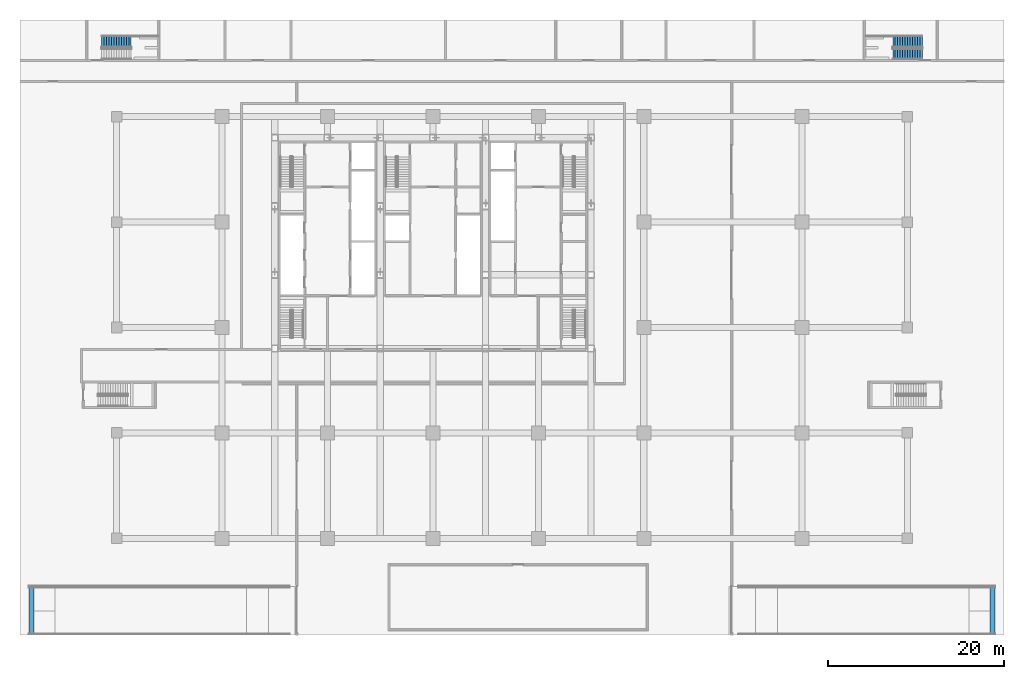
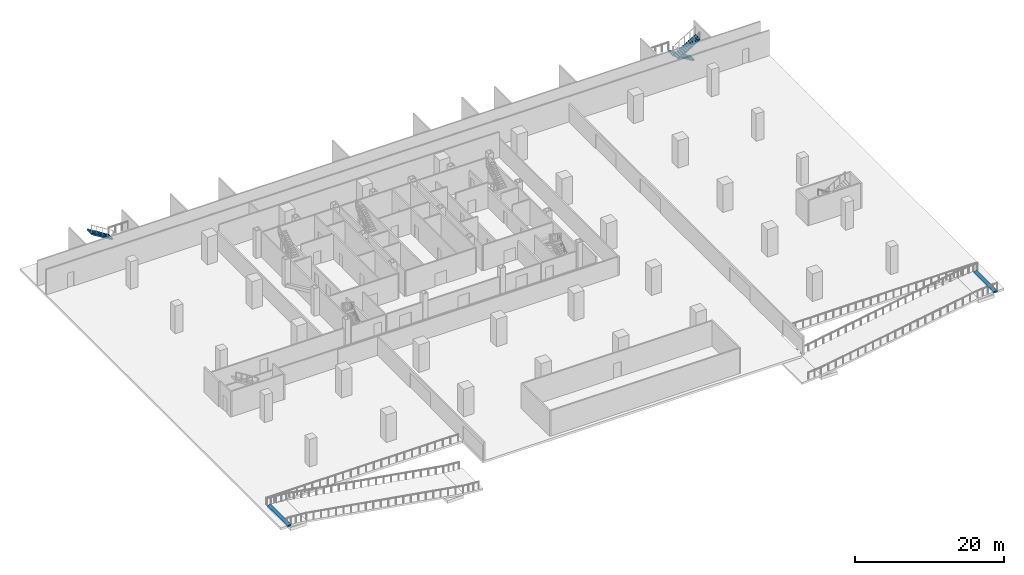
# One storey, part 11 of 15: 3 stair flights, 2 ramp flights, 4 elements without a shape of their own.
"""IFC4 building model written with IfcOpenShell, lengths in metres."""

from ifc_helpers import new_model, si_unit, direction, frame, origin, place, context, subcontext, project, spatial, polyline, outline, extrude, material, layer, layer_set, type_object, element, aggregate, save


model = new_model("IFC4")

# Units and contexts
model_context = context("Model", 3, precision=1e-05, world=origin(), true_north=direction((0.0, 1.0)))
body_context = subcontext(model_context, "Body", "Model", "MODEL_VIEW")
ifc_project = project(units=[si_unit("LENGTHUNIT", "METRE"), si_unit("AREAUNIT", "SQUARE_METRE"), si_unit("VOLUMEUNIT", "CUBIC_METRE"), si_unit("PLANEANGLEUNIT", "RADIAN"), si_unit("MASSUNIT", "GRAM", prefix="KILO")], contexts=[model_context])

# Site, building, storey
site_placement = place(None, origin())
site = spatial("IfcSite", under=ifc_project, at=site_placement, CompositionType="ELEMENT")
building_placement = place(site_placement, origin())
building = spatial("IfcBuilding", under=site, at=building_placement, Name="Sorahane Residences", CompositionType="ELEMENT")
storey_placement = place(building_placement, frame((0.0, 0.0, -4.5)))
storey = spatial("IfcBuildingStorey", under=building, at=storey_placement, Name="B1", CompositionType="ELEMENT", Elevation=-4.5)

# Stair, stair flight
ifc_material_1 = material(Name="Concrete C40", Category="concrete")
stair_type = type_object("IfcStairType", Name="Dog-leg stair 1250 Concrete C40", PredefinedType="HALF_TURN_STAIR", material=ifc_material_1)
stair_1_placement = place(storey_placement, origin())
stair_1 = element("IfcStair", 1, at=stair_1_placement, inside=storey, type_object=stair_type, Name="B1 Basement stair BS1", PredefinedType="HALF_TURN_STAIR")
ifc_material_2 = material(Name="Concrete C40", Category="concrete")
stair_flight_type = type_object("IfcStairFlightType", Name="Stair flight 1250 Concrete C40", PredefinedType="STRAIGHT", material=ifc_material_2)
stair_flight_1_placement = place(storey_placement, frame((-10.340087890625, 56.52490234375, 2.25), z_axis=(0.0, 0.0, 1.0), x_axis=(-1.0, 0.0, 0.0)))
stair_flight_1 = element("IfcStairFlight", 2, at=stair_flight_1_placement, type_object=stair_flight_type, Name="BS1 flight 2", NumberOfRisers=13, NumberOfTreads=12, PredefinedType="STRAIGHT", RiserHeight=0.173076923, TreadLength=0.28, context=body_context, shape_type="SweptSolid", body=[
    extrude(outline(polyline([(0.0, 0.0), (0.0, 0.173095703125), (0.280029296875, 0.173095703125), (0.280029296875, 0.34619140625), (0.56005859375, 0.34619140625), (0.56005859375, 0.519287109375), (0.840087890625, 0.519287109375), (0.840087890625, 0.6923828125), (1.1201171875, 0.6923828125), (1.1201171875, 0.865478515625), (1.39990234375, 0.865478515625), (1.39990234375, 1.03857421875), (1.679931640625, 1.03857421875), (1.679931640625, 1.21142578125), (1.9599609375, 1.21142578125), (1.9599609375, 1.384521484375), (2.239990234375, 1.384521484375), (2.239990234375, 1.5576171875), (2.52001953125, 1.5576171875), (2.52001953125, 1.730712890625), (2.800048828125, 1.730712890625), (2.800048828125, 1.90380859375), (3.080078125, 1.90380859375), (3.080078125, 2.076904296875), (3.360107421875, 2.076904296875), (3.360107421875, 2.25), (3.361572265625, 2.25), (3.361572265625, 1.900634765625), (3.141845703125, 1.764892578125), (2.922119140625, 1.629150390625), (2.702392578125, 1.493408203125), (2.482421875, 1.357666015625), (2.2626953125, 1.221923828125), (2.04296875, 1.086181640625), (1.8232421875, 0.950439453125), (1.603515625, 0.814697265625), (1.3837890625, 0.6787109375), (1.1640625, 0.54296875), (0.9443359375, 0.4072265625), (0.724609375, 0.271484375), (0.5048828125, 0.1357421875), (0.28515625, 0.0), (0.0, 0.0)])), frame((0.0, 0.625, 0.0), z_axis=(0.0, -1.0, 0.0), x_axis=(1.0, 0.0, 0.0)), (0.0, 0.0, 1.0), 1.25),
])
aggregate(stair_1, [stair_flight_1])

# Stair, stair flights
stair_2_placement = place(storey_placement, origin())
stair_2 = element("IfcStair", 3, at=stair_2_placement, inside=storey, type_object=stair_type, Name="B1 Basement stair BS2", PredefinedType="HALF_TURN_STAIR")
stair_flight_2_placement = place(storey_placement, frame((79.699951171875, 56.52490234375, 0.0), z_axis=(0.0, 0.0, 1.0), x_axis=(-1.0, 0.0, 0.0)))
stair_flight_2 = element("IfcStairFlight", 4, at=stair_flight_2_placement, type_object=stair_flight_type, Name="BS2 flight 1", NumberOfRisers=13, NumberOfTreads=12, PredefinedType="STRAIGHT", RiserHeight=0.173076923, TreadLength=0.28, context=body_context, shape_type="SweptSolid", body=[
    extrude(outline(polyline([(-0.00146484375, 0.0), (-0.00146484375, 0.173095703125), (0.0, 0.173095703125), (0.280029296875, 0.173095703125), (0.280029296875, 0.34619140625), (0.56005859375, 0.34619140625), (0.56005859375, 0.519287109375), (0.840087890625, 0.519287109375), (0.840087890625, 0.6923828125), (1.1201171875, 0.6923828125), (1.1201171875, 0.865478515625), (1.39990234375, 0.865478515625), (1.39990234375, 1.03857421875), (1.679931640625, 1.03857421875), (1.679931640625, 1.21142578125), (1.9599609375, 1.21142578125), (1.9599609375, 1.384521484375), (2.239990234375, 1.384521484375), (2.239990234375, 1.5576171875), (2.52001953125, 1.5576171875), (2.52001953125, 1.730712890625), (2.800048828125, 1.730712890625), (2.800048828125, 1.90380859375), (3.080078125, 1.90380859375), (3.080078125, 2.076904296875), (3.360107421875, 2.076904296875), (3.360107421875, 2.25), (3.360107421875, 1.900634765625), (3.140380859375, 1.764892578125), (2.920654296875, 1.629150390625), (2.701171875, 1.493408203125), (2.4814453125, 1.357666015625), (2.26171875, 1.221923828125), (2.042236328125, 1.086181640625), (1.822509765625, 0.950439453125), (1.60302734375, 0.814697265625), (1.38330078125, 0.6787109375), (1.16357421875, 0.54296875), (0.944091796875, 0.4072265625), (0.724365234375, 0.271484375), (0.504638671875, 0.1357421875), (0.28515625, 0.0), (-0.00146484375, 0.0)])), frame((0.0, 0.625, 0.0), z_axis=(0.0, -1.0, 0.0), x_axis=(1.0, 0.0, 0.0)), (0.0, 0.0, 1.0), 1.25),
])
stair_flight_3_placement = place(storey_placement, frame((76.340087890625, 55.125, 2.25), z_axis=(0.0, 0.0, 1.0), x_axis=(1.0, 0.0, 0.0)))
stair_flight_3 = element("IfcStairFlight", 5, at=stair_flight_3_placement, type_object=stair_flight_type, Name="BS2 flight 2", NumberOfRisers=13, NumberOfTreads=12, PredefinedType="STRAIGHT", RiserHeight=0.173076923, TreadLength=0.28, context=body_context, shape_type="SweptSolid", body=[
    extrude(outline(polyline([(0.0, 0.0), (0.0, 0.173095703125), (0.280029296875, 0.173095703125), (0.280029296875, 0.34619140625), (0.56005859375, 0.34619140625), (0.56005859375, 0.519287109375), (0.840087890625, 0.519287109375), (0.840087890625, 0.6923828125), (1.1201171875, 0.6923828125), (1.1201171875, 0.865478515625), (1.39990234375, 0.865478515625), (1.39990234375, 1.03857421875), (1.679931640625, 1.03857421875), (1.679931640625, 1.21142578125), (1.9599609375, 1.21142578125), (1.9599609375, 1.384521484375), (2.239990234375, 1.384521484375), (2.239990234375, 1.5576171875), (2.52001953125, 1.5576171875), (2.52001953125, 1.730712890625), (2.800048828125, 1.730712890625), (2.800048828125, 1.90380859375), (3.080078125, 1.90380859375), (3.080078125, 2.076904296875), (3.360107421875, 2.076904296875), (3.360107421875, 2.25), (3.361572265625, 2.25), (3.361572265625, 1.900634765625), (3.141845703125, 1.764892578125), (2.922119140625, 1.629150390625), (2.702392578125, 1.493408203125), (2.482421875, 1.357666015625), (2.2626953125, 1.221923828125), (2.04296875, 1.086181640625), (1.8232421875, 0.950439453125), (1.603515625, 0.814697265625), (1.3837890625, 0.6787109375), (1.1640625, 0.54296875), (0.9443359375, 0.4072265625), (0.724609375, 0.271484375), (0.5048828125, 0.1357421875), (0.28515625, 0.0), (0.0, 0.0)])), frame((0.0, 0.625, 0.0), z_axis=(0.0, -1.0, 0.0), x_axis=(1.0, 0.0, 0.0)), (0.0, 0.0, 1.0), 1.25),
])
aggregate(stair_2, [stair_flight_2, stair_flight_3])

# Ramp, ramp flight
ifc_material_3 = material(Name="Concrete C40", Category="concrete")
ifc_layer_1 = layer(ifc_material_3, 0.300048828125)
ifc_layer_set_1 = layer_set([ifc_layer_1], Name="Vehicle ramp 300 Concrete C40")
ramp_type = type_object("IfcRampType", Name="Vehicle ramp 300 Concrete C40", PredefinedType="STRAIGHT_RUN_RAMP", material=ifc_layer_set_1)
ramp_1_placement = place(storey_placement, origin())
ramp_1 = element("IfcRamp", 6, at=ramp_1_placement, inside=storey, type_object=ramp_type, Name="Vehicle ramp W B1 to B2", PredefinedType="STRAIGHT_RUN_RAMP")
ifc_material_4 = material(Name="Concrete C40", Category="concrete")
ifc_layer_2 = layer(ifc_material_4, 0.25)
ifc_layer_set_2 = layer_set([ifc_layer_2], Name="Vehicle ramp apron 250 Concrete C40")
ramp_flight_type = type_object("IfcRampFlightType", Name="Vehicle ramp apron 250 Concrete C40", PredefinedType="STRAIGHT", material=ifc_layer_set_2)
ramp_flight_1_placement = place(storey_placement, frame((-22.0, -11.0, 0.0), z_axis=(0.0, 0.0, 1.0), x_axis=(1.0, 0.0, 0.0)))
ramp_flight_1 = element("IfcRampFlight", 7, at=ramp_flight_1_placement, type_object=ramp_flight_type, Name="Ramp apron W B1", PredefinedType="STRAIGHT", context=body_context, shape_type="SweptSolid", body=[
    extrude(outline(polyline([(0.0, 0.0), (0.60009765625, 0.0), (0.60009765625, 5.5), (0.0, 5.5), (0.0, 0.0)])), origin(), (0.0, 0.0, -1.0), 0.25),
])
aggregate(ramp_1, [ramp_flight_1])

ramp_2_placement = place(storey_placement, origin())
ramp_2 = element("IfcRamp", 8, at=ramp_2_placement, inside=storey, type_object=ramp_type, Name="Vehicle ramp E B1 to B2", PredefinedType="STRAIGHT_RUN_RAMP")
ramp_flight_2_placement = place(storey_placement, frame((88.0, -11.0, 0.0), z_axis=(0.0, 0.0, 1.0), x_axis=(-1.0, 0.0, 0.0)))
ramp_flight_2 = element("IfcRampFlight", 9, at=ramp_flight_2_placement, type_object=ramp_flight_type, Name="Ramp apron E B1", PredefinedType="STRAIGHT", context=body_context, shape_type="SweptSolid", body=[
    extrude(outline(polyline([(0.0, 0.0), (0.60009765625, 0.0), (0.60009765625, -5.5), (0.0, -5.5), (0.0, 0.0)])), origin(), (0.0, 0.0, -1.0), 0.25),
])
aggregate(ramp_2, [ramp_flight_2])

save(model, "model.ifc")
